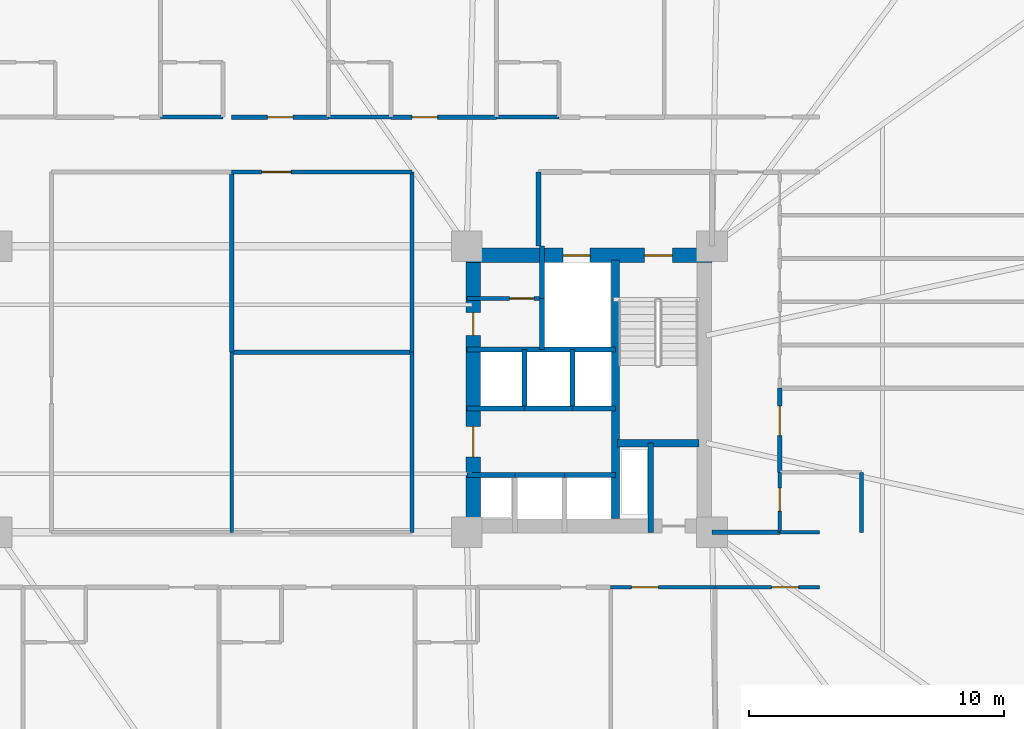
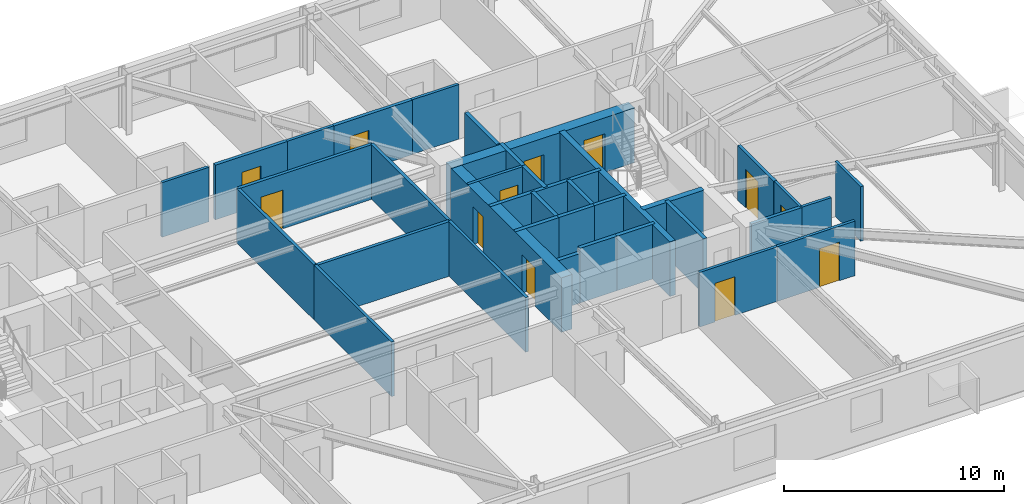
# One storey, part 17 of 21: 36 walls, 12 doors, 12 openings.
"""IFC4 building model written with IfcOpenShell, lengths in metres."""

import ifcopenshell
import ifcopenshell.guid

model = None  # the IFC model being written
_history = None  # IfcOwnerHistory: only IFC2X3 demands one
_inside = {}  # id of a spatial element -> (the spatial element, [elements in it])
_under = {}  # id of a project, library or spatial element -> (it, [spatial elements below it])
_declared = {}  # id of a project -> (the project, [libraries it declares])
_typed = {}  # id of a type object -> (the type object, [elements of that type])
_made_of = {}  # id of a material, layer set ... -> (it, [elements and type objects made of it])


def new_model(schema):
    """Start an empty IFC model of exactly this schema.

    Asked for "IFC4X3", IfcOpenShell would pick the latest addendum, in which some entities
    have other attributes; the version numbers below select the first issue.
    IFC2X3 requires an IfcOwnerHistory on every rooted entity: one is made here for all.
    """
    global model, _history
    if schema == "IFC4X3":
        model = ifcopenshell.file(schema_version=(4, 3, 0, 0))
    else:
        model = ifcopenshell.file(schema=schema)
    _inside.clear()
    _under.clear()
    _declared.clear()
    _typed.clear()
    _made_of.clear()
    _history = None
    if model.schema == "IFC2X3":
        org = make("IfcOrganization", Name="unknown")
        user = make(
            "IfcPersonAndOrganization",
            ThePerson=make("IfcPerson", FamilyName="unknown"),
            TheOrganization=org,
        )
        app = make(
            "IfcApplication",
            ApplicationDeveloper=org,
            Version="unknown",
            ApplicationFullName="unknown",
            ApplicationIdentifier="unknown",
        )
        _history = make(
            "IfcOwnerHistory",
            OwningUser=user,
            OwningApplication=app,
            ChangeAction="ADDED",
            CreationDate=0,
        )
    return model


def make(cls, **values):
    """One entity of the class cls with the attributes given. An attribute that is None is left unset."""
    return model.create_entity(
        cls, **{name: value for name, value in values.items() if value is not None}
    )


def rooted(cls, **values):
    """An entity with a GlobalId (a new one), such as an element, a storey or a relation."""
    return make(cls, GlobalId=ifcopenshell.guid.new(), OwnerHistory=_history, **values)


def si_unit(unit_type, name, prefix=None):
    """IfcSIUnit, for example si_unit("LENGTHUNIT", "METRE", prefix="MILLI")."""
    return make("IfcSIUnit", UnitType=unit_type, Prefix=prefix, Name=name)


def assignment(units):
    """IfcUnitAssignment: the units of a project."""
    return None if units is None else make("IfcUnitAssignment", Units=units)


def point(xyz):
    """IfcCartesianPoint."""
    return None if xyz is None else make("IfcCartesianPoint", Coordinates=xyz)


def direction(xyz):
    """IfcDirection."""
    return None if xyz is None else make("IfcDirection", DirectionRatios=xyz)


def frame(location, z_axis=None, x_axis=None):
    """IfcAxis2Placement3D, a coordinate frame: its origin and axes. An axis left out is left unset."""
    return make(
        "IfcAxis2Placement3D",
        Location=point(location),
        Axis=direction(z_axis),
        RefDirection=direction(x_axis),
    )


def frame_2d(location, x_axis=None):
    """IfcAxis2Placement2D, a coordinate frame in the plane: its origin and x axis."""
    return make(
        "IfcAxis2Placement2D", Location=point(location), RefDirection=direction(x_axis)
    )


def origin():
    """The frame at (0, 0, 0) with its axes left unset."""
    return frame((0.0, 0.0, 0.0))


def place(relative_to, where):
    """IfcLocalPlacement: puts the frame where relative to a parent placement (None: the world)."""
    return make(
        "IfcLocalPlacement", PlacementRelTo=relative_to, RelativePlacement=where
    )


def context(
    kind, dimensions, precision=None, world=None, true_north=None, identifier=None
):
    """IfcGeometricRepresentationContext, for example the 3D "Model" context."""
    return make(
        "IfcGeometricRepresentationContext",
        ContextIdentifier=identifier,
        ContextType=kind,
        CoordinateSpaceDimension=dimensions,
        Precision=precision,
        WorldCoordinateSystem=world,
        TrueNorth=true_north,
    )


def subcontext(parent, identifier, kind, view, scale=None):
    """IfcGeometricRepresentationSubContext, for example "Body" below "Model"."""
    return make(
        "IfcGeometricRepresentationSubContext",
        ContextIdentifier=identifier,
        ContextType=kind,
        ParentContext=parent,
        TargetScale=scale,
        TargetView=view,
    )


def project(units=None, contexts=None):
    """IfcProject with its units and contexts."""
    return rooted(
        "IfcProject",
        Name="project",
        RepresentationContexts=contexts,
        UnitsInContext=assignment(units),
    )


def spatial(cls, under=None, at=None, **own):
    """A site, building, storey or space (cls), placed at a placement, below another one or the project."""
    s = rooted(cls, ObjectPlacement=at, **own)
    if under is not None:
        _under.setdefault(under.id(), (under, []))[1].append(s)
    return s


def profile(cls, at=None, kind="AREA", **sizes):
    """A parametric profile (cls). Its sizes go by their IFC names, for example OverallWidth=200.0."""
    return make(cls, ProfileType=kind, Position=at, **sizes)


def rectangle(**sizes):
    """IfcRectangleProfileDef."""
    return profile("IfcRectangleProfileDef", **sizes)


def extrude(swept, where, along, depth):
    """IfcExtrudedAreaSolid: the profile swept, set in the frame where, extruded along a direction by depth."""
    return make(
        "IfcExtrudedAreaSolid",
        SweptArea=swept,
        Position=where,
        ExtrudedDirection=direction(along),
        Depth=depth,
    )


def shape(context_of_items, identifier, shape_type, items):
    """IfcShapeRepresentation: the items that make up one representation, for example the "Body"."""
    return make(
        "IfcShapeRepresentation",
        ContextOfItems=context_of_items,
        RepresentationIdentifier=identifier,
        RepresentationType=shape_type,
        Items=items,
    )


def material(Name=None, Category=None):
    """IfcMaterial."""
    return make("IfcMaterial", Name=Name, Category=Category)


def layer(
    of_material, thickness, ventilated=None, Name=None, Category=None, Priority=None
):
    """IfcMaterialLayer: one layer of a wall or slab, of a material (None: an air gap)."""
    return make(
        "IfcMaterialLayer",
        Material=of_material,
        LayerThickness=thickness,
        IsVentilated=ventilated,
        Name=Name,
        Category=Category,
        Priority=Priority,
    )


def layer_set(layers, Name=None):
    """IfcMaterialLayerSet."""
    return make("IfcMaterialLayerSet", MaterialLayers=layers, LayerSetName=Name)


def made_of(thing, what):
    """Note that an element or type object is made of a material, layer set ...; save() writes the relation."""
    if what is not None:
        _made_of.setdefault(what.id(), (what, []))[1].append(thing)
    return thing


def type_object(cls, material=None, **own):
    """A type object (cls), such as IfcWallType, which elements share."""
    return made_of(rooted(cls, **own), material)


def element(
    cls,
    number,
    at=None,
    inside=None,
    cuts=None,
    type_object=None,
    material=None,
    context=None,
    identifier="Body",
    shape_type=None,
    held_by="IfcProductDefinitionShape",
    body=None,
    shapes=None,
    **own,
):
    """One element of the class cls, such as IfcWall. Its Tag is "e" and its number.

    at: its placement. inside: the storey or other place that contains it. cuts: it is an
    opening in that element (IfcRelVoidsElement). A single representation is given by context,
    identifier, shape_type and body (its items); several are given by shapes. held_by: the class
    of the entity that holds the representations. save() writes the other relations.
    """
    e = rooted(cls, Tag="e%d" % number, ObjectPlacement=at, **own)
    if body is not None:
        shapes = [shape(context, identifier, shape_type, body)]
    if shapes is not None:
        e.Representation = make(held_by, Representations=shapes)
    if inside is not None:
        _inside.setdefault(inside.id(), (inside, []))[1].append(e)
    if cuts is not None:
        rooted(
            "IfcRelVoidsElement", RelatingBuildingElement=cuts, RelatedOpeningElement=e
        )
    if type_object is not None:
        _typed.setdefault(type_object.id(), (type_object, []))[1].append(e)
    return made_of(e, material)


def fill(opening, filler):
    """IfcRelFillsElement: the door or window that sits in an opening."""
    return rooted(
        "IfcRelFillsElement",
        RelatingOpeningElement=opening,
        RelatedBuildingElement=filler,
    )


def aggregate(whole, parts):
    """IfcRelAggregates: a whole, such as a stair, and the parts it consists of."""
    return rooted("IfcRelAggregates", RelatingObject=whole, RelatedObjects=parts)


def save(model, path):
    """Write the relations noted so far, then the file.

    IfcRelAggregates (storeys below a building ...), IfcRelContainedInSpatialStructure (elements
    in a storey), IfcRelDefinesByType, IfcRelAssociatesMaterial and IfcRelDeclares: one each for
    every whole, place, type object, material and project.
    """
    for whole, parts in _under.values():
        aggregate(whole, parts)
    for where, things in _inside.values():
        rooted(
            "IfcRelContainedInSpatialStructure",
            RelatedElements=things,
            RelatingStructure=where,
        )
    for kind, things in _typed.values():
        rooted("IfcRelDefinesByType", RelatedObjects=things, RelatingType=kind)
    for what, things in _made_of.values():
        rooted("IfcRelAssociatesMaterial", RelatedObjects=things, RelatingMaterial=what)
    for by, libraries in _declared.values():
        rooted("IfcRelDeclares", RelatingContext=by, RelatedDefinitions=libraries)
    model.write(path)


model = new_model("IFC4")

# Units and contexts
model_context = context("Model", 3, precision=1e-05, world=origin(), true_north=direction((0.0, 1.0)))
body_context = subcontext(model_context, "Body", "Model", "MODEL_VIEW")
ifc_project = project(units=[si_unit("LENGTHUNIT", "METRE"), si_unit("AREAUNIT", "SQUARE_METRE"), si_unit("VOLUMEUNIT", "CUBIC_METRE"), si_unit("PLANEANGLEUNIT", "RADIAN"), si_unit("MASSUNIT", "GRAM", prefix="KILO")], contexts=[model_context])

# Site, building, storey
site_placement = place(None, origin())
site = spatial("IfcSite", under=ifc_project, at=site_placement, CompositionType="ELEMENT")
building_placement = place(site_placement, origin())
building = spatial("IfcBuilding", under=site, at=building_placement, Name="Qobustan Lattice House", CompositionType="ELEMENT")
storey_placement = place(building_placement, frame((0.0, 0.0, 30.35009765625)))
storey = spatial("IfcBuildingStorey", under=building, at=storey_placement, Name="L07", CompositionType="ELEMENT", Elevation=30.35009765625)

# Wall, openings, doors
ifc_material_1 = material(Name="Concrete C60/75", Category="concrete")
ifc_layer_1 = layer(ifc_material_1, 0.56005859375)
ifc_layer_set_1 = layer_set([ifc_layer_1], Name="Concrete C60/75")
wall_type_1 = type_object("IfcWallType", Name="WAL-CORE-600", PredefinedType="SHEAR", material=ifc_layer_set_1)
wall_1_placement = place(storey_placement, frame((9.199951171875, 5.239990234375, 0.0), z_axis=(0.0, 0.0, 1.0), x_axis=(1.0, 0.0, 0.0)))
wall_1 = element("IfcWall", 1, at=wall_1_placement, inside=storey, type_object=wall_type_1, Name="L07 split-core shear wall CE-N", PredefinedType="SHEAR", context=body_context, shape_type="SweptSolid", body=[
    extrude(rectangle(XDim=9.60009765625, YDim=0.56005859375, at=frame_2d((4.800048828125, 0.0))), origin(), (0.0, 0.0, 1.0), 3.034912109375),
])
opening_1_placement = place(wall_1_placement, frame((6.949951171875, 0.0, 0.0)))
opening_1 = element("IfcOpeningElement", 2, at=opening_1_placement, cuts=wall_1, Name="Opening SD-01", PredefinedType="OPENING", context=body_context, shape_type="SweptSolid", body=[
    extrude(rectangle(XDim=1.10009765625, YDim=2.14990234375, at=frame_2d((0.550048828125, 1.074951171875))), frame((0.0, 0.2900390625, 0.0), z_axis=(0.0, -1.0, 0.0), x_axis=(1.0, 0.0, 0.0)), (0.0, 0.0, 1.0), 0.580078125),
])
opening_2_placement = place(wall_1_placement, frame((3.77490234375, 0.0, 0.0)))
opening_2 = element("IfcOpeningElement", 3, at=opening_2_placement, cuts=wall_1, Name="Opening LD-01", PredefinedType="OPENING", context=body_context, shape_type="SweptSolid", body=[
    extrude(rectangle(XDim=1.050048828125, YDim=2.10009765625, at=frame_2d((0.52490234375, 1.050048828125))), frame((0.0, 0.2900390625, 0.0), z_axis=(0.0, -1.0, 0.0), x_axis=(1.0, 0.0, 0.0)), (0.0, 0.0, 1.0), 0.580078125),
])
ifc_material_2 = material(Name="Persian walnut timber and steel frame door", Category="steel")
door_type_1 = type_object("IfcDoorType", Name="DOR-LIFT-LD-1050x2100", OperationType="NOTDEFINED", PredefinedType="DOOR", material=ifc_material_2)
door_1_placement = place(opening_2_placement, origin())
door_1 = element("IfcDoor", 4, at=door_1_placement, inside=storey, type_object=door_type_1, Name="L07 firefighting lift FF-E landing door", OperationType="DOUBLE_DOOR_SLIDING", OverallHeight=2.10009765625, OverallWidth=1.050048828125, PredefinedType="DOOR", context=body_context, shape_type="SweptSolid", body=[
    extrude(rectangle(XDim=1.050048828125, YDim=2.10009765625, at=frame_2d((0.52490234375, 1.050048828125))), frame((0.0, 0.02490234375, 0.0), z_axis=(0.0, -1.0, 0.0), x_axis=(1.0, 0.0, 0.0)), (0.0, 0.0, 1.0), 0.050048828125),
])
fill(opening_2, door_1)
ifc_material_3 = material(Name="Persian walnut timber and steel frame door", Category="steel")
door_type_2 = type_object("IfcDoorType", Name="DOR-STAIR-FD-1100x2150", OperationType="NOTDEFINED", PredefinedType="DOOR", material=ifc_material_3)
door_2_placement = place(opening_1_placement, origin())
door_2 = element("IfcDoor", 5, at=door_2_placement, inside=storey, type_object=door_type_2, Name="L07 exit stair ST-E1 fire door", OperationType="SINGLE_SWING_LEFT", OverallHeight=2.14990234375, OverallWidth=1.10009765625, PredefinedType="DOOR", context=body_context, shape_type="SweptSolid", body=[
    extrude(rectangle(XDim=1.10009765625, YDim=2.14990234375, at=frame_2d((0.550048828125, 1.074951171875))), frame((0.0, 0.02490234375, 0.0), z_axis=(0.0, -1.0, 0.0), x_axis=(1.0, 0.0, 0.0)), (0.0, 0.0, 1.0), 0.050048828125),
])
fill(opening_1, door_2)

wall_2_placement = place(storey_placement, frame((9.449951171875, -5.050048828125, 0.0), z_axis=(0.0, 0.0, 1.0), x_axis=(0.0, 1.0, 0.0)))
wall_2 = element("IfcWall", 6, at=wall_2_placement, inside=storey, type_object=wall_type_1, Name="L07 split-core shear wall CE-W", PredefinedType="SHEAR", context=body_context, shape_type="SweptSolid", body=[
    extrude(rectangle(XDim=10.10009765625, YDim=0.56005859375, at=frame_2d((5.050048828125, 0.0))), origin(), (0.0, 0.0, 1.0), 3.034912109375),
])
opening_3_placement = place(wall_2_placement, frame((7.14990234375, 0.0, 0.0)))
opening_3 = element("IfcOpeningElement", 7, at=opening_3_placement, cuts=wall_2, Name="Opening RD-01", PredefinedType="OPENING", context=body_context, shape_type="SweptSolid", body=[
    extrude(rectangle(XDim=0.89990234375, YDim=2.10009765625, at=frame_2d((0.449951171875, 1.050048828125))), frame((0.0, 0.2900390625, 0.0), z_axis=(0.0, -1.0, 0.0), x_axis=(1.0, 0.0, 0.0)), (0.0, 0.0, 1.0), 0.580078125),
])
opening_4_placement = place(wall_2_placement, frame((2.39990234375, 0.0, 0.0)))
opening_4 = element("IfcOpeningElement", 8, at=opening_4_placement, cuts=wall_2, Name="Opening FD-01", PredefinedType="OPENING", context=body_context, shape_type="SweptSolid", body=[
    extrude(rectangle(XDim=1.199951171875, YDim=2.14990234375, at=frame_2d((0.60009765625, 1.074951171875))), frame((0.0, 0.2900390625, 0.0), z_axis=(0.0, -1.0, 0.0), x_axis=(1.0, 0.0, 0.0)), (0.0, 0.0, 1.0), 0.580078125),
])
ifc_material_4 = material(Name="Persian walnut timber and steel frame door", Category="steel")
door_type_3 = type_object("IfcDoorType", Name="DOR-LOBBY-FD-1200x2150", OperationType="NOTDEFINED", PredefinedType="DOOR", material=ifc_material_4)
door_3_placement = place(opening_4_placement, origin())
door_3 = element("IfcDoor", 9, at=door_3_placement, inside=storey, type_object=door_type_3, Name="L07 East passenger lift lobby fire door", OperationType="SINGLE_SWING_LEFT", OverallHeight=2.14990234375, OverallWidth=1.199951171875, PredefinedType="DOOR", context=body_context, shape_type="SweptSolid", body=[
    extrude(rectangle(XDim=1.199951171875, YDim=2.14990234375, at=frame_2d((0.60009765625, 1.074951171875))), frame((0.0, 0.02490234375, 0.0), z_axis=(0.0, -1.0, 0.0), x_axis=(1.0, 0.0, 0.0)), (0.0, 0.0, 1.0), 0.050048828125),
])
fill(opening_4, door_3)
ifc_material_5 = material(Name="Persian walnut timber and steel frame door", Category="steel")
door_type_4 = type_object("IfcDoorType", Name="DOR-RISER-FD-900x2100", OperationType="NOTDEFINED", PredefinedType="DOOR", material=ifc_material_5)
door_4_placement = place(opening_3_placement, origin())
door_4 = element("IfcDoor", 10, at=door_4_placement, inside=storey, type_object=door_type_4, Name="L07 Housekeeping utility foyer fire door", OperationType="SINGLE_SWING_RIGHT", OverallHeight=2.10009765625, OverallWidth=0.89990234375, PredefinedType="DOOR", context=body_context, shape_type="SweptSolid", body=[
    extrude(rectangle(XDim=0.89990234375, YDim=2.10009765625, at=frame_2d((0.449951171875, 1.050048828125))), frame((0.0, 0.02490234375, 0.0), z_axis=(0.0, -1.0, 0.0), x_axis=(1.0, 0.0, 0.0)), (0.0, 0.0, 1.0), 0.050048828125),
])
fill(opening_3, door_4)

# Walls
ifc_material_6 = material(Name="Concrete C50/60", Category="concrete")
ifc_layer_2 = layer(ifc_material_6, 0.280029296875)
ifc_layer_set_2 = layer_set([ifc_layer_2], Name="Concrete C50/60")
wall_type_2 = type_object("IfcWallType", Name="WAL-CORE-SPINE-280", PredefinedType="SHEAR", material=ifc_layer_set_2)
wall_3_placement = place(storey_placement, frame((15.02001953125, -5.050048828125, 0.0), z_axis=(0.0, 0.0, 1.0), x_axis=(0.0, 1.0, 0.0)))
element("IfcWall", 11, at=wall_3_placement, inside=storey, type_object=wall_type_2, Name="L07 split-core shear wall CE-M", PredefinedType="SHEAR", context=body_context, shape_type="SweptSolid", body=[
    extrude(rectangle(XDim=10.10009765625, YDim=0.300048828125, at=frame_2d((5.050048828125, 0.0))), origin(), (0.0, 0.0, 1.0), 3.034912109375),
])
wall_4_placement = place(storey_placement, frame((15.10009765625, -2.110107421875, 0.0), z_axis=(0.0, 0.0, 1.0), x_axis=(1.0, 0.0, 0.0)))
element("IfcWall", 12, at=wall_4_placement, inside=storey, type_object=wall_type_2, Name="L07 split-core shear wall CE-ST", PredefinedType="SHEAR", context=body_context, shape_type="SweptSolid", body=[
    extrude(rectangle(XDim=3.179931640625, YDim=0.300048828125, at=frame_2d((1.58984375, 0.0))), origin(), (0.0, 0.0, 1.0), 3.034912109375),
])

# Wall, opening, door
ifc_material_7 = material(Name="Gypsum fireboard acoustic partition", Category="gypsum")
ifc_layer_3 = layer(ifc_material_7, 0.179931640625)
ifc_layer_set_3 = layer_set([ifc_layer_3], Name="Gypsum fireboard acoustic partition")
wall_type_3 = type_object("IfcWallType", Name="WAL-FIRE-180", PredefinedType="PARTITIONING", material=ifc_layer_set_3)
wall_5_placement = place(storey_placement, frame((0.0, 10.64990234375, 0.0), z_axis=(0.0, 0.0, 1.0), x_axis=(1.0, 0.0, 0.0)))
wall_5 = element("IfcWall", 13, at=wall_5_placement, inside=storey, type_object=wall_type_3, Name="L07 interior partition 49", PredefinedType="PARTITIONING", context=body_context, shape_type="SweptSolid", body=[
    extrude(rectangle(XDim=3.785888671875, YDim=0.179931640625, at=frame_2d((1.89306640625, 0.0))), origin(), (0.0, 0.0, 1.0), 3.034912109375),
])
opening_5_placement = place(wall_5_placement, frame((1.39306640625, 0.0, 0.0)))
opening_5 = element("IfcOpeningElement", 14, at=opening_5_placement, cuts=wall_5, Name="Opening FD-02", PredefinedType="OPENING", context=body_context, shape_type="SweptSolid", body=[
    extrude(rectangle(XDim=1.0, YDim=2.14990234375, at=frame_2d((0.5, 1.074951171875))), frame((0.0, 0.099853515625, 0.0), z_axis=(0.0, -1.0, 0.0), x_axis=(1.0, 0.0, 0.0)), (0.0, 0.0, 1.0), 0.199951171875),
])
ifc_material_8 = material(Name="Persian walnut timber and steel frame door", Category="steel")
door_type_5 = type_object("IfcDoorType", Name="DOR-UNIT-FD-1000x2150", OperationType="NOTDEFINED", PredefinedType="DOOR", material=ifc_material_8)
door_5_placement = place(opening_5_placement, origin())
door_5 = element("IfcDoor", 15, at=door_5_placement, inside=storey, type_object=door_type_5, Name="L07 North-east floor corridor to Kitchenette and studio apartment L07-N4 door", OperationType="SINGLE_SWING_RIGHT", OverallHeight=2.14990234375, OverallWidth=1.0, PredefinedType="DOOR", context=body_context, shape_type="SweptSolid", body=[
    extrude(rectangle(XDim=1.0, YDim=2.14990234375, at=frame_2d((0.5, 1.074951171875))), frame((0.0, 0.02490234375, 0.0), z_axis=(0.0, -1.0, 0.0), x_axis=(1.0, 0.0, 0.0)), (0.0, 0.0, 1.0), 0.050048828125),
])
fill(opening_5, door_5)

wall_6_placement = place(storey_placement, frame((6.236083984375, 10.64990234375, 0.0), z_axis=(0.0, 0.0, 1.0), x_axis=(1.0, 0.0, 0.0)))
wall_6 = element("IfcWall", 16, at=wall_6_placement, inside=storey, type_object=wall_type_3, Name="L07 interior partition 50", PredefinedType="PARTITIONING", context=body_context, shape_type="SweptSolid", body=[
    extrude(rectangle(XDim=4.120849609375, YDim=0.179931640625, at=frame_2d((2.060546875, 0.0))), origin(), (0.0, 0.0, 1.0), 3.034912109375),
])
opening_6_placement = place(wall_6_placement, frame((0.8251953125, 0.0, 0.0)))
opening_6 = element("IfcOpeningElement", 17, at=opening_6_placement, cuts=wall_6, Name="Opening FD-02", PredefinedType="OPENING", context=body_context, shape_type="SweptSolid", body=[
    extrude(rectangle(XDim=1.0, YDim=2.14990234375, at=frame_2d((0.5, 1.074951171875))), frame((0.0, 0.099853515625, 0.0), z_axis=(0.0, -1.0, 0.0), x_axis=(1.0, 0.0, 0.0)), (0.0, 0.0, 1.0), 0.199951171875),
])
door_6_placement = place(opening_6_placement, origin())
door_6 = element("IfcDoor", 18, at=door_6_placement, inside=storey, type_object=door_type_5, Name="L07 North-east floor corridor to Kitchenette and studio apartment L07-N5 door", OperationType="SINGLE_SWING_LEFT", OverallHeight=2.14990234375, OverallWidth=1.0, PredefinedType="DOOR", context=body_context, shape_type="SweptSolid", body=[
    extrude(rectangle(XDim=1.0, YDim=2.14990234375, at=frame_2d((0.5, 1.074951171875))), frame((0.0, 0.02490234375, 0.0), z_axis=(0.0, -1.0, 0.0), x_axis=(1.0, 0.0, 0.0)), (0.0, 0.0, 1.0), 0.050048828125),
])
fill(opening_6, door_6)

# Wall
wall_7_placement = place(storey_placement, frame((18.800048828125, -5.60009765625, 0.0), z_axis=(0.0, 0.0, 1.0), x_axis=(1.0, 0.0, 0.0)))
element("IfcWall", 19, at=wall_7_placement, inside=storey, type_object=wall_type_3, Name="L07 interior partition 66", PredefinedType="PARTITIONING", context=body_context, shape_type="SweptSolid", body=[
    extrude(rectangle(XDim=2.64990234375, YDim=0.179931640625, at=frame_2d((1.324951171875, 0.0))), origin(), (0.0, 0.0, 1.0), 3.034912109375),
])

# Wall, opening, door
ifc_material_9 = material(Name="Acoustic twin-stud gypsum partition", Category="gypsum")
ifc_layer_4 = layer(ifc_material_9, 0.14990234375)
ifc_layer_set_4 = layer_set([ifc_layer_4], Name="Acoustic twin-stud gypsum partition")
wall_type_4 = type_object("IfcWallType", Name="WAL-PART-150", PredefinedType="PARTITIONING", material=ifc_layer_set_4)
wall_8_placement = place(storey_placement, frame((12.14990234375, 3.550048828125, 0.0), z_axis=(0.0, 0.0, 1.0), x_axis=(-1.0, 0.0, 0.0)))
wall_8 = element("IfcWall", 20, at=wall_8_placement, inside=storey, type_object=wall_type_4, Name="L07 interior partition 25", PredefinedType="PARTITIONING", context=body_context, shape_type="SweptSolid", body=[
    extrude(rectangle(XDim=2.949951171875, YDim=0.14990234375, at=frame_2d((1.47509765625, 0.0))), origin(), (0.0, 0.0, 1.0), 3.034912109375),
])
opening_7_placement = place(wall_8_placement, frame((0.324951171875, 0.0, 0.0)))
opening_7 = element("IfcOpeningElement", 21, at=opening_7_placement, cuts=wall_8, Name="Opening ID-01", PredefinedType="OPENING", context=body_context, shape_type="SweptSolid", body=[
    extrude(rectangle(XDim=0.949951171875, YDim=2.10009765625, at=frame_2d((0.47509765625, 1.050048828125))), frame((0.0, 0.0849609375, 0.0), z_axis=(0.0, -1.0, 0.0), x_axis=(1.0, 0.0, 0.0)), (0.0, 0.0, 1.0), 0.169921875),
])
ifc_material_10 = material(Name="Persian walnut timber and steel frame door", Category="steel")
door_type_6 = type_object("IfcDoorType", Name="DOR-ROOM-950x2100", OperationType="NOTDEFINED", PredefinedType="DOOR", material=ifc_material_10)
door_7_placement = place(opening_7_placement, origin())
door_7 = element("IfcDoor", 22, at=door_7_placement, inside=storey, type_object=door_type_6, Name="L07 Housekeeping utility foyer to Cleaner cupboard door", OperationType="SINGLE_SWING_LEFT", OverallHeight=2.10009765625, OverallWidth=0.949951171875, PredefinedType="DOOR", context=body_context, shape_type="SweptSolid", body=[
    extrude(rectangle(XDim=0.949951171875, YDim=2.10009765625, at=frame_2d((0.47509765625, 1.050048828125))), frame((0.0, 0.02490234375, 0.0), z_axis=(0.0, -1.0, 0.0), x_axis=(1.0, 0.0, 0.0)), (0.0, 0.0, 1.0), 0.050048828125),
])
fill(opening_7, door_7)

wall_9_placement = place(storey_placement, frame((18.91650390625, -7.75, 0.0), z_axis=(0.0, 0.0, 1.0), x_axis=(-1.0, 0.0, 0.0)))
wall_9 = element("IfcWall", 23, at=wall_9_placement, inside=storey, type_object=wall_type_4, Name="L07 interior partition 72", PredefinedType="PARTITIONING", context=body_context, shape_type="SweptSolid", body=[
    extrude(rectangle(XDim=4.08349609375, YDim=0.14990234375, at=frame_2d((2.041748046875, 0.0))), origin(), (0.0, 0.0, 1.0), 3.034912109375),
])
opening_8_placement = place(wall_9_placement, frame((2.21923828125, 0.0, 0.0)))
opening_8 = element("IfcOpeningElement", 24, at=opening_8_placement, cuts=wall_9, Name="Opening ID-02", PredefinedType="OPENING", context=body_context, shape_type="SweptSolid", body=[
    extrude(rectangle(XDim=1.050048828125, YDim=2.14990234375, at=frame_2d((0.52490234375, 1.074951171875))), frame((0.0, 0.0849609375, 0.0), z_axis=(0.0, -1.0, 0.0), x_axis=(1.0, 0.0, 0.0)), (0.0, 0.0, 1.0), 0.169921875),
])
ifc_material_11 = material(Name="Persian walnut timber and steel frame door", Category="steel")
door_type_7 = type_object("IfcDoorType", Name="DOR-STUDY-1050x2150", OperationType="NOTDEFINED", PredefinedType="DOOR", material=ifc_material_11)
door_8_placement = place(opening_8_placement, origin())
door_8 = element("IfcDoor", 25, at=door_8_placement, inside=storey, type_object=door_type_7, Name="L07 South-east floor corridor to Group study room door", OperationType="SINGLE_SWING_LEFT", OverallHeight=2.14990234375, OverallWidth=1.050048828125, PredefinedType="DOOR", context=body_context, shape_type="SweptSolid", body=[
    extrude(rectangle(XDim=1.050048828125, YDim=2.14990234375, at=frame_2d((0.52490234375, 1.074951171875))), frame((0.0, 0.02490234375, 0.0), z_axis=(0.0, -1.0, 0.0), x_axis=(1.0, 0.0, 0.0)), (0.0, 0.0, 1.0), 0.050048828125),
])
fill(opening_8, door_8)

wall_10_placement = place(storey_placement, frame((23.0, -7.75, 0.0), z_axis=(0.0, 0.0, 1.0), x_axis=(-1.0, 0.0, 0.0)))
wall_10 = element("IfcWall", 26, at=wall_10_placement, inside=storey, type_object=wall_type_4, Name="L07 interior partition 73", PredefinedType="PARTITIONING", context=body_context, shape_type="SweptSolid", body=[
    extrude(rectangle(XDim=4.08349609375, YDim=0.14990234375, at=frame_2d((2.041748046875, 0.0))), origin(), (0.0, 0.0, 1.0), 3.034912109375),
])
opening_9_placement = place(wall_10_placement, frame((0.814208984375, 0.0, 0.0)))
opening_9 = element("IfcOpeningElement", 27, at=opening_9_placement, cuts=wall_10, Name="Opening ID-02", PredefinedType="OPENING", context=body_context, shape_type="SweptSolid", body=[
    extrude(rectangle(XDim=1.050048828125, YDim=2.14990234375, at=frame_2d((0.52490234375, 1.074951171875))), frame((0.0, 0.0849609375, 0.0), z_axis=(0.0, -1.0, 0.0), x_axis=(1.0, 0.0, 0.0)), (0.0, 0.0, 1.0), 0.169921875),
])
door_9_placement = place(opening_9_placement, origin())
door_9 = element("IfcDoor", 28, at=door_9_placement, inside=storey, type_object=door_type_7, Name="L07 South-east floor corridor to Academic seminar room door", OperationType="SINGLE_SWING_RIGHT", OverallHeight=2.14990234375, OverallWidth=1.050048828125, PredefinedType="DOOR", context=body_context, shape_type="SweptSolid", body=[
    extrude(rectangle(XDim=1.050048828125, YDim=2.14990234375, at=frame_2d((0.52490234375, 1.074951171875))), frame((0.0, 0.02490234375, 0.0), z_axis=(0.0, -1.0, 0.0), x_axis=(1.0, 0.0, 0.0)), (0.0, 0.0, 1.0), 0.050048828125),
])
fill(opening_9, door_9)

# Walls
for number, where, z_axis, x_axis, name in (
    (29, (7.050048828125, -5.60009765625, 0.0), (0.0, 0.0, 1.0), (0.0, 1.0, 0.0), "L07 interior partition 76"),
    (30, (0.0, 1.449951171875, 0.0), (0.0, 0.0, 1.0), (0.0, -1.0, 0.0), "L07 interior partition 144"),
):
    element("IfcWall", number, at=place(storey_placement, frame(where, z_axis=z_axis, x_axis=x_axis)), inside=storey, type_object=wall_type_4, Name=name, PredefinedType="PARTITIONING", context=body_context, shape_type="SweptSolid", body=[
        extrude(rectangle(XDim=7.050048828125, YDim=0.14990234375, at=frame_2d((3.52490234375, 0.0))), origin(), (0.0, 0.0, 1.0), 3.034912109375),
    ])

# Wall, opening, door
ifc_material_12 = material(Name="High-mass acoustic twin-stud partition", Category="gypsum")
ifc_layer_5 = layer(ifc_material_12, 0.1650390625)
ifc_layer_set_5 = layer_set([ifc_layer_5], Name="High-mass acoustic twin-stud partition")
wall_type_5 = type_object("IfcWallType", Name="WAL-PART-165", PredefinedType="PARTITIONING", material=ifc_layer_set_5)
wall_11_placement = place(storey_placement, frame((7.050048828125, 8.5, 0.0), z_axis=(0.0, 0.0, 1.0), x_axis=(-1.0, 0.0, 0.0)))
wall_11 = element("IfcWall", 31, at=wall_11_placement, inside=storey, type_object=wall_type_5, Name="L07 interior partition 55", PredefinedType="PARTITIONING", context=body_context, shape_type="SweptSolid", body=[
    extrude(rectangle(XDim=7.050048828125, YDim=0.1650390625, at=frame_2d((3.52490234375, 0.0))), origin(), (0.0, 0.0, 1.0), 3.034912109375),
])
opening_10_placement = place(wall_11_placement, frame((4.7275390625, 0.0, 0.0)))
opening_10 = element("IfcOpeningElement", 32, at=opening_10_placement, cuts=wall_11, Name="Opening ID-03", PredefinedType="OPENING", context=body_context, shape_type="SweptSolid", body=[
    extrude(rectangle(XDim=1.14990234375, YDim=2.14990234375, at=frame_2d((0.574951171875, 1.074951171875))), frame((0.0, 0.092529296875, 0.0), z_axis=(0.0, -1.0, 0.0), x_axis=(1.0, 0.0, 0.0)), (0.0, 0.0, 1.0), 0.18505859375),
])
ifc_material_13 = material(Name="Persian walnut timber and steel frame door", Category="steel")
door_type_8 = type_object("IfcDoorType", Name="DOR-KITCH-1150x2150", OperationType="NOTDEFINED", PredefinedType="DOOR", material=ifc_material_13)
door_10_placement = place(opening_10_placement, origin())
door_10 = element("IfcDoor", 33, at=door_10_placement, inside=storey, type_object=door_type_8, Name="L07 North-east floor corridor to Communal kitchen dining door", OperationType="SINGLE_SWING_RIGHT", OverallHeight=2.14990234375, OverallWidth=1.14990234375, PredefinedType="DOOR", context=body_context, shape_type="SweptSolid", body=[
    extrude(rectangle(XDim=1.14990234375, YDim=2.14990234375, at=frame_2d((0.574951171875, 1.074951171875))), frame((0.0, 0.02490234375, 0.0), z_axis=(0.0, -1.0, 0.0), x_axis=(1.0, 0.0, 0.0)), (0.0, 0.0, 1.0), 0.050048828125),
])
fill(opening_10, door_10)

# Wall
wall_12_placement = place(storey_placement, frame((7.050048828125, 1.449951171875, 0.0), z_axis=(0.0, 0.0, 1.0), x_axis=(0.0, 1.0, 0.0)))
element("IfcWall", 34, at=wall_12_placement, inside=storey, type_object=wall_type_5, Name="L07 interior partition 77", PredefinedType="PARTITIONING", context=body_context, shape_type="SweptSolid", body=[
    extrude(rectangle(XDim=7.050048828125, YDim=0.1650390625, at=frame_2d((3.52490234375, 0.0))), origin(), (0.0, 0.0, 1.0), 3.034912109375),
])

# Wall, opening, door
wall_13_placement = place(storey_placement, frame((21.449951171875, 0.0400390625, 0.0), z_axis=(0.0, 0.0, 1.0), x_axis=(0.0, -1.0, 0.0)))
wall_13 = element("IfcWall", 35, at=wall_13_placement, inside=storey, type_object=wall_type_5, Name="L07 interior partition 93", PredefinedType="PARTITIONING", context=body_context, shape_type="SweptSolid", body=[
    extrude(rectangle(XDim=3.2900390625, YDim=0.1650390625, at=frame_2d((1.64501953125, 0.0))), origin(), (0.0, 0.0, 1.0), 3.034912109375),
])
opening_11_placement = place(wall_13_placement, frame((0.702392578125, 0.0, 0.0)))
opening_11 = element("IfcOpeningElement", 36, at=opening_11_placement, cuts=wall_13, Name="Opening ID-03", PredefinedType="OPENING", context=body_context, shape_type="SweptSolid", body=[
    extrude(rectangle(XDim=1.14990234375, YDim=2.14990234375, at=frame_2d((0.574951171875, 1.074951171875))), frame((0.0, 0.092529296875, 0.0), z_axis=(0.0, -1.0, 0.0), x_axis=(1.0, 0.0, 0.0)), (0.0, 0.0, 1.0), 0.18505859375),
])
door_11_placement = place(opening_11_placement, origin())
door_11 = element("IfcDoor", 37, at=door_11_placement, inside=storey, type_object=door_type_8, Name="L07 Residence entrance hall L07E to Shared kitchen L07E door", OperationType="SINGLE_SWING_LEFT", OverallHeight=2.14990234375, OverallWidth=1.14990234375, PredefinedType="DOOR", context=body_context, shape_type="SweptSolid", body=[
    extrude(rectangle(XDim=1.14990234375, YDim=2.14990234375, at=frame_2d((0.574951171875, 1.074951171875))), frame((0.0, 0.02490234375, 0.0), z_axis=(0.0, -1.0, 0.0), x_axis=(1.0, 0.0, 0.0)), (0.0, 0.0, 1.0), 0.050048828125),
])
fill(opening_11, door_11)

# Walls
for number, where, z_axis, x_axis, name in (
    (38, (0.0, 8.5, 0.0), (0.0, 0.0, 1.0), (0.0, -1.0, 0.0), "L07 interior partition 145"),
    (39, (0.0, 1.449951171875, 0.0), (0.0, 0.0, 1.0), (1.0, 0.0, 0.0), "L07 interior partition 146"),
):
    element("IfcWall", number, at=place(storey_placement, frame(where, z_axis=z_axis, x_axis=x_axis)), inside=storey, type_object=wall_type_5, Name=name, PredefinedType="PARTITIONING", context=body_context, shape_type="SweptSolid", body=[
        extrude(rectangle(XDim=7.050048828125, YDim=0.1650390625, at=frame_2d((3.52490234375, 0.0))), origin(), (0.0, 0.0, 1.0), 3.034912109375),
    ])
ifc_material_14 = material(Name="Two-hour gypsum fireboard acoustic partition", Category="gypsum")
ifc_layer_6 = layer(ifc_material_14, 0.199951171875)
ifc_layer_set_6 = layer_set([ifc_layer_6], Name="Two-hour gypsum fireboard acoustic partition")
wall_type_6 = type_object("IfcWallType", Name="WAL-PROT-200", PredefinedType="PARTITIONING", material=ifc_layer_set_6)
wall_14_placement = place(storey_placement, frame((12.0, 8.5, 0.0), z_axis=(0.0, 0.0, 1.0), x_axis=(0.0, -1.0, 0.0)))
element("IfcWall", 40, at=wall_14_placement, inside=storey, type_object=wall_type_6, Name="L07 interior partition 23", PredefinedType="PARTITIONING", context=body_context, shape_type="SweptSolid", body=[
    extrude(rectangle(XDim=2.89990234375, YDim=0.199951171875, at=frame_2d((1.449951171875, 0.0))), origin(), (0.0, 0.0, 1.0), 3.034912109375),
])
ifc_material_15 = material(Name="Concrete C40/50", Category="concrete")
ifc_layer_7 = layer(ifc_material_15, 0.199951171875)
ifc_layer_set_7 = layer_set([ifc_layer_7], Name="Concrete C40/50")
wall_type_7 = type_object("IfcWallType", Name="WAL-SHAFT-200", PredefinedType="PARTITIONING", material=ifc_layer_set_7)
wall_15_placement = place(storey_placement, frame((16.39990234375, -2.110107421875, 0.0), z_axis=(0.0, 0.0, 1.0), x_axis=(0.0, -1.0, 0.0)))
element("IfcWall", 41, at=wall_15_placement, inside=storey, type_object=wall_type_7, Name="L07 interior partition 19", PredefinedType="PARTITIONING", context=body_context, shape_type="SweptSolid", body=[
    extrude(rectangle(XDim=3.489990234375, YDim=0.199951171875, at=frame_2d((1.7451171875, 0.0))), origin(), (0.0, 0.0, 1.0), 3.034912109375),
])
wall_16_placement = place(storey_placement, frame((12.14990234375, 3.550048828125, 0.0), z_axis=(0.0, 0.0, 1.0), x_axis=(0.0, -1.0, 0.0)))
element("IfcWall", 42, at=wall_16_placement, inside=storey, type_object=wall_type_7, Name="L07 interior partition 20", PredefinedType="PARTITIONING", context=body_context, shape_type="SweptSolid", body=[
    extrude(rectangle(XDim=2.0, YDim=0.199951171875, at=frame_2d((1.0, 0.0))), origin(), (0.0, 0.0, 1.0), 3.034912109375),
])
wall_17_placement = place(storey_placement, frame((12.14990234375, 5.60009765625, 0.0), z_axis=(0.0, 0.0, 1.0), x_axis=(0.0, -1.0, 0.0)))
element("IfcWall", 43, at=wall_17_placement, inside=storey, type_object=wall_type_7, Name="L07 interior partition 21", PredefinedType="PARTITIONING", context=body_context, shape_type="SweptSolid", body=[
    extrude(rectangle(XDim=2.050048828125, YDim=0.199951171875, at=frame_2d((1.02490234375, 0.0))), origin(), (0.0, 0.0, 1.0), 3.034912109375),
])
wall_18_placement = place(storey_placement, frame((9.199951171875, -3.35009765625, 0.0), z_axis=(0.0, 0.0, 1.0), x_axis=(1.0, 0.0, 0.0)))
element("IfcWall", 44, at=wall_18_placement, inside=storey, type_object=wall_type_7, Name="L07 interior partition 27", PredefinedType="PARTITIONING", context=body_context, shape_type="SweptSolid", body=[
    extrude(rectangle(XDim=1.880126953125, YDim=0.199951171875, at=frame_2d((0.93994140625, 0.0))), origin(), (0.0, 0.0, 1.0), 2.75),
])
wall_19_placement = place(storey_placement, frame((11.080078125, -3.35009765625, 0.0), z_axis=(0.0, 0.0, 1.0), x_axis=(1.0, 0.0, 0.0)))
element("IfcWall", 45, at=wall_19_placement, inside=storey, type_object=wall_type_7, Name="L07 interior partition 28", PredefinedType="PARTITIONING", context=body_context, shape_type="SweptSolid", body=[
    extrude(rectangle(XDim=1.93994140625, YDim=0.199951171875, at=frame_2d((0.969970703125, 0.0))), origin(), (0.0, 0.0, 1.0), 3.034912109375),
])
wall_20_placement = place(storey_placement, frame((13.02001953125, -3.35009765625, 0.0), z_axis=(0.0, 0.0, 1.0), x_axis=(1.0, 0.0, 0.0)))
element("IfcWall", 46, at=wall_20_placement, inside=storey, type_object=wall_type_7, Name="L07 interior partition 29", PredefinedType="PARTITIONING", context=body_context, shape_type="SweptSolid", body=[
    extrude(rectangle(XDim=2.0, YDim=0.199951171875, at=frame_2d((1.0, 0.0))), origin(), (0.0, 0.0, 1.0), 3.034912109375),
])
wall_21_placement = place(storey_placement, frame((11.4599609375, -0.75, 0.0), z_axis=(0.0, 0.0, 1.0), x_axis=(-1.0, 0.0, 0.0)))
element("IfcWall", 47, at=wall_21_placement, inside=storey, type_object=wall_type_7, Name="L07 interior partition 30", PredefinedType="PARTITIONING", context=body_context, shape_type="SweptSolid", body=[
    extrude(rectangle(XDim=2.260009765625, YDim=0.199951171875, at=frame_2d((1.1298828125, 0.0))), origin(), (0.0, 0.0, 1.0), 3.034912109375),
])
wall_22_placement = place(storey_placement, frame((13.340087890625, -0.75, 0.0), z_axis=(0.0, 0.0, 1.0), x_axis=(-1.0, 0.0, 0.0)))
element("IfcWall", 48, at=wall_22_placement, inside=storey, type_object=wall_type_7, Name="L07 interior partition 31", PredefinedType="PARTITIONING", context=body_context, shape_type="SweptSolid", body=[
    extrude(rectangle(XDim=1.880126953125, YDim=0.199951171875, at=frame_2d((0.93994140625, 0.0))), origin(), (0.0, 0.0, 1.0), 3.034912109375),
])
wall_23_placement = place(storey_placement, frame((15.02001953125, -0.75, 0.0), z_axis=(0.0, 0.0, 1.0), x_axis=(-1.0, 0.0, 0.0)))
element("IfcWall", 49, at=wall_23_placement, inside=storey, type_object=wall_type_7, Name="L07 interior partition 32", PredefinedType="PARTITIONING", context=body_context, shape_type="SweptSolid", body=[
    extrude(rectangle(XDim=1.679931640625, YDim=0.199951171875, at=frame_2d((0.83984375, 0.0))), origin(), (0.0, 0.0, 1.0), 3.034912109375),
])
for number, where, z_axis, x_axis, name in (
    (50, (11.4599609375, -0.75, 0.0), (0.0, 0.0, 1.0), (0.0, 1.0, 0.0), "L07 interior partition 36"),
    (51, (13.340087890625, -0.75, 0.0), (0.0, 0.0, 1.0), (0.0, 1.0, 0.0), "L07 interior partition 37"),
):
    element("IfcWall", number, at=place(storey_placement, frame(where, z_axis=z_axis, x_axis=x_axis)), inside=storey, type_object=wall_type_7, Name=name, PredefinedType="PARTITIONING", context=body_context, shape_type="SweptSolid", body=[
        extrude(rectangle(XDim=2.300048828125, YDim=0.199951171875, at=frame_2d((1.14990234375, 0.0))), origin(), (0.0, 0.0, 1.0), 3.034912109375),
    ])
wall_24_placement = place(storey_placement, frame((9.199951171875, 1.550048828125, 0.0), z_axis=(0.0, 0.0, 1.0), x_axis=(1.0, 0.0, 0.0)))
element("IfcWall", 52, at=wall_24_placement, inside=storey, type_object=wall_type_7, Name="L07 interior partition 148", PredefinedType="PARTITIONING", context=body_context, shape_type="SweptSolid", body=[
    extrude(rectangle(XDim=5.820068359375, YDim=0.199951171875, at=frame_2d((2.91015625, 0.0))), origin(), (0.0, 0.0, 1.0), 3.034912109375),
])
ifc_material_16 = material(Name="Moisture-resistant acoustic plumbing wall", Category="gypsum")
ifc_layer_8 = layer(ifc_material_16, 0.14990234375)
ifc_layer_set_8 = layer_set([ifc_layer_8], Name="Moisture-resistant acoustic plumbing wall")
wall_type_8 = type_object("IfcWallType", Name="WAL-WET-150", PredefinedType="PLUMBINGWALL", material=ifc_layer_set_8)
wall_25_placement = place(storey_placement, frame((-2.785888671875, 10.64990234375, 0.0), z_axis=(0.0, 0.0, 1.0), x_axis=(1.0, 0.0, 0.0)))
element("IfcWall", 53, at=wall_25_placement, inside=storey, type_object=wall_type_8, Name="L07 interior partition 45", PredefinedType="PLUMBINGWALL", context=body_context, shape_type="SweptSolid", body=[
    extrude(rectangle(XDim=2.449951171875, YDim=0.14990234375, at=frame_2d((1.22509765625, 0.0))), origin(), (0.0, 0.0, 1.0), 3.034912109375),
])
wall_26_placement = place(storey_placement, frame((3.785888671875, 10.64990234375, 0.0), z_axis=(0.0, 0.0, 1.0), x_axis=(1.0, 0.0, 0.0)))
element("IfcWall", 54, at=wall_26_placement, inside=storey, type_object=wall_type_8, Name="L07 interior partition 51", PredefinedType="PLUMBINGWALL", context=body_context, shape_type="SweptSolid", body=[
    extrude(rectangle(XDim=2.4501953125, YDim=0.14990234375, at=frame_2d((1.22509765625, 0.0))), origin(), (0.0, 0.0, 1.0), 3.034912109375),
])
wall_27_placement = place(storey_placement, frame((10.35693359375, 10.64990234375, 0.0), z_axis=(0.0, 0.0, 1.0), x_axis=(1.0, 0.0, 0.0)))
element("IfcWall", 55, at=wall_27_placement, inside=storey, type_object=wall_type_8, Name="L07 interior partition 53", PredefinedType="PLUMBINGWALL", context=body_context, shape_type="SweptSolid", body=[
    extrude(rectangle(XDim=2.449951171875, YDim=0.14990234375, at=frame_2d((1.22509765625, 0.0))), origin(), (0.0, 0.0, 1.0), 3.034912109375),
])
wall_28_placement = place(storey_placement, frame((21.449951171875, -5.60009765625, 0.0), z_axis=(0.0, 0.0, 1.0), x_axis=(1.0, 0.0, 0.0)))
element("IfcWall", 56, at=wall_28_placement, inside=storey, type_object=wall_type_8, Name="L07 interior partition 67", PredefinedType="PLUMBINGWALL", context=body_context, shape_type="SweptSolid", body=[
    extrude(rectangle(XDim=1.550048828125, YDim=0.14990234375, at=frame_2d((0.77490234375, 0.0))), origin(), (0.0, 0.0, 1.0), 3.034912109375),
])

# Wall, opening, door
wall_29_placement = place(storey_placement, frame((21.449951171875, -3.25, 0.0), z_axis=(0.0, 0.0, 1.0), x_axis=(0.0, -1.0, 0.0)))
wall_29 = element("IfcWall", 57, at=wall_29_placement, inside=storey, type_object=wall_type_8, Name="L07 interior partition 92", PredefinedType="PLUMBINGWALL", context=body_context, shape_type="SweptSolid", body=[
    extrude(rectangle(XDim=2.35009765625, YDim=0.14990234375, at=frame_2d((1.175048828125, 0.0))), origin(), (0.0, 0.0, 1.0), 3.034912109375),
])
opening_12_placement = place(wall_29_placement, frame((0.6162109375, 0.0, 0.0)))
opening_12 = element("IfcOpeningElement", 58, at=opening_12_placement, cuts=wall_29, Name="Opening WD-01", PredefinedType="OPENING", context=body_context, shape_type="SweptSolid", body=[
    extrude(rectangle(XDim=0.89990234375, YDim=2.10009765625, at=frame_2d((0.449951171875, 1.050048828125))), frame((0.0, 0.0849609375, 0.0), z_axis=(0.0, -1.0, 0.0), x_axis=(1.0, 0.0, 0.0)), (0.0, 0.0, 1.0), 0.169921875),
])
ifc_material_17 = material(Name="Persian walnut timber and steel frame door", Category="steel")
door_type_9 = type_object("IfcDoorType", Name="DOR-WET-900x2100", OperationType="NOTDEFINED", PredefinedType="DOOR", material=ifc_material_17)
door_12_placement = place(opening_12_placement, origin())
door_12 = element("IfcDoor", 59, at=door_12_placement, inside=storey, type_object=door_type_9, Name="L07 Residence entrance hall L07E to Shared bathroom L07E door", OperationType="SINGLE_SWING_RIGHT", OverallHeight=2.10009765625, OverallWidth=0.89990234375, PredefinedType="DOOR", context=body_context, shape_type="SweptSolid", body=[
    extrude(rectangle(XDim=0.89990234375, YDim=2.10009765625, at=frame_2d((0.449951171875, 1.050048828125))), frame((0.0, 0.02490234375, 0.0), z_axis=(0.0, -1.0, 0.0), x_axis=(1.0, 0.0, 0.0)), (0.0, 0.0, 1.0), 0.050048828125),
])
fill(opening_12, door_12)

# Wall
wall_30_placement = place(storey_placement, frame((24.64990234375, -3.25, 0.0), z_axis=(0.0, 0.0, 1.0), x_axis=(0.0, -1.0, 0.0)))
element("IfcWall", 60, at=wall_30_placement, inside=storey, type_object=wall_type_8, Name="L07 interior partition 100", PredefinedType="PLUMBINGWALL", context=body_context, shape_type="SweptSolid", body=[
    extrude(rectangle(XDim=2.35009765625, YDim=0.14990234375, at=frame_2d((1.175048828125, 0.0))), origin(), (0.0, 0.0, 1.0), 3.034912109375),
])

save(model, "model.ifc")
